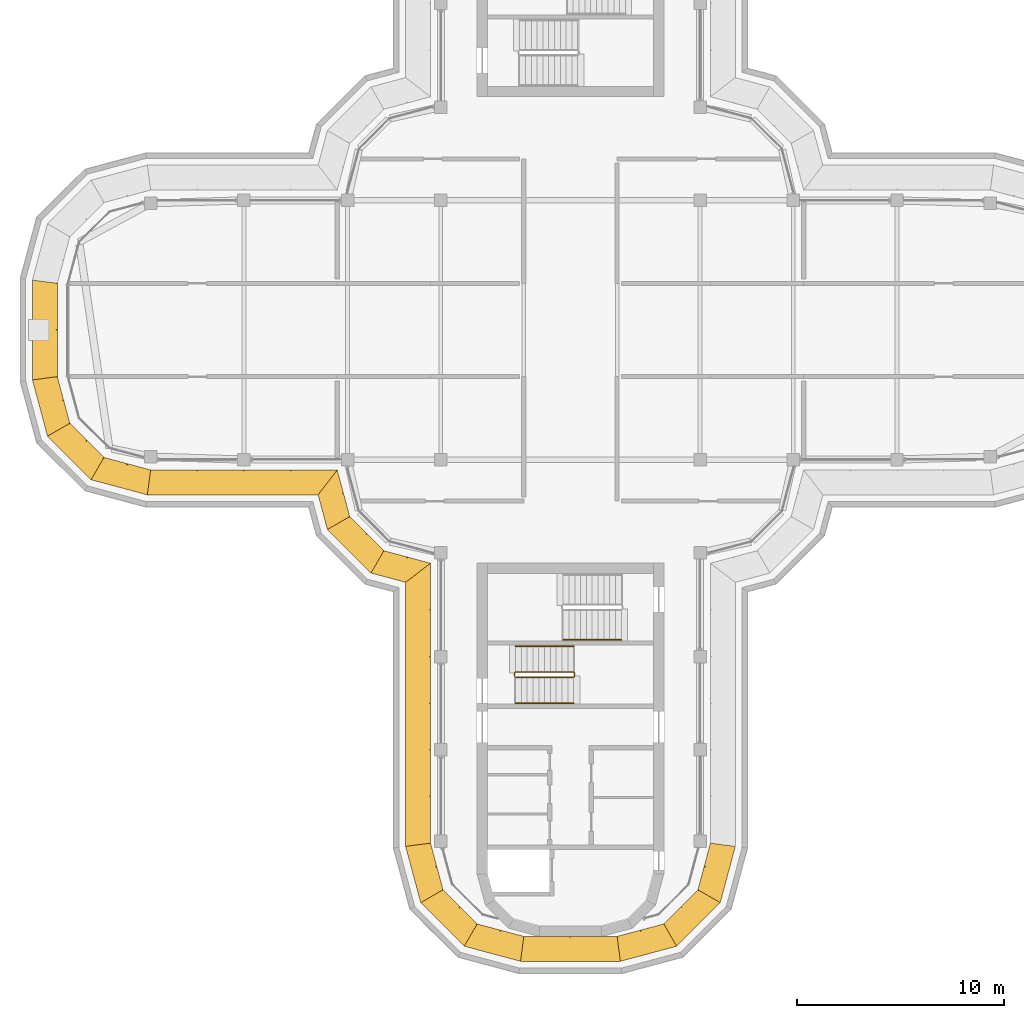
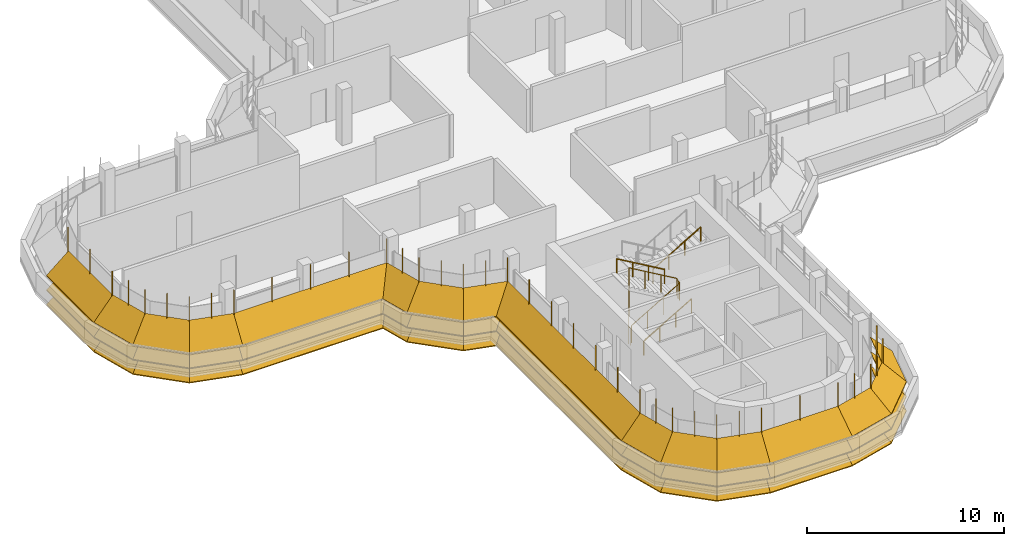
# One storey, part 16 of 19: 8 shading devices, 4 railings.
"""IFC4 building model written with IfcOpenShell, lengths in metres."""

from ifc_helpers import new_model, si_unit, direction, frame, origin, origin_2d, place, context, subcontext, project, spatial, polyline, circle, outline, extrude, faceted_brep, source, transform, mapped, material, type_object, element, save


model = new_model("IFC4")

# Units and contexts
model_context = context("Model", 3, precision=1e-05, world=origin(), true_north=direction((0.0, 1.0)))
body_context = subcontext(model_context, "Body", "Model", "MODEL_VIEW")
ifc_project = project(units=[si_unit("LENGTHUNIT", "METRE"), si_unit("AREAUNIT", "SQUARE_METRE"), si_unit("VOLUMEUNIT", "CUBIC_METRE"), si_unit("PLANEANGLEUNIT", "RADIAN"), si_unit("MASSUNIT", "GRAM", prefix="KILO")], contexts=[model_context])

# Site, building, storey
site_placement = place(None, origin())
site = spatial("IfcSite", under=ifc_project, at=site_placement, CompositionType="ELEMENT")
building_placement = place(site_placement, origin())
building = spatial("IfcBuilding", under=site, at=building_placement, Name="Zarbagh Exchange Tower", CompositionType="ELEMENT")
storey_placement = place(building_placement, frame((0.0, 0.0, 295.199951171875)))
storey = spatial("IfcBuildingStorey", under=building, at=storey_placement, Name="L72", CompositionType="ELEMENT", Elevation=295.199951171875)

# Railings
ifc_material_1 = material(Name="Stainless steel", Category="steel")
railing_type_1 = type_object("IfcRailingType", Name="Stair guard 1100 mm", PredefinedType="GUARDRAIL", material=ifc_material_1)
railing_1_placement = place(storey_placement, frame((-2.64990234375, -16.75, 0.16357421875)))
element("IfcRailing", 1, at=railing_1_placement, inside=storey, type_object=railing_type_1, Name="ST3 stair guard 1", PredefinedType="GUARDRAIL", context=body_context, shape_type="SweptSolid", body=[
    extrude(circle(Radius=0.02392578125, at=origin_2d()), frame((0.0, 0.0, 1.076171875), z_axis=(0.863341702679, 0.0, 0.504619762213), x_axis=(0.0, 1.0, 0.0)), (0.0, 0.0, 1.0), 3.242919921875),
    extrude(circle(Radius=0.02392578125, at=origin_2d()), frame((2.7998046875, 0.0, 2.71240234375), z_axis=(0.707106781187, 0.707106781187, 0.0), x_axis=(-0.707106781187, 0.707106781187, 0.0)), (0.0, 0.0, 1.0), 0.07080078125),
    extrude(circle(Radius=0.02392578125, at=origin_2d()), frame((2.849853515625, 0.050048828125, 2.71240234375), z_axis=(0.0, 1.0, 0.0), x_axis=(-1.0, 0.0, 0.0)), (0.0, 0.0, 1.0), 0.14990234375),
    extrude(circle(Radius=0.02392578125, at=origin_2d()), frame((2.849853515625, 0.199951171875, 2.71240234375), z_axis=(-0.280808744504, 0.280808744504, 0.917765164963), x_axis=(-0.707106781187, -0.707106781187, 0.0)), (0.0, 0.0, 1.0), 0.17822265625),
    extrude(circle(Radius=0.02392578125, at=origin_2d()), frame((2.7998046875, 0.25, 2.8759765625), z_axis=(-0.863341702679, 0.0, 0.504619762213), x_axis=(0.0, -1.0, 0.0)), (0.0, 0.0, 1.0), 3.242919921875),
    extrude(circle(Radius=0.02392578125, at=origin_2d()), frame((0.0, 0.25, 4.5126953125), z_axis=(-0.013899389096, -0.013899389096, -0.999806788317), x_axis=(0.707106781187, -0.707106781187, 0.0)), (0.0, 0.0, 1.0), 3.600830078125),
    extrude(circle(Radius=0.02392578125, at=origin_2d()), frame((-0.050048828125, 0.199951171875, 0.91259765625), z_axis=(0.0, -1.0, 0.0), x_axis=(1.0, 0.0, 0.0)), (0.0, 0.0, 1.0), 0.14990234375),
    extrude(circle(Radius=0.02099609375, at=origin_2d()), origin(), (0.0, 0.0, 1.0), 1.052001953125),
    extrude(circle(Radius=0.02099609375, at=origin_2d()), frame((0.933349609375, 0.0, 0.54541015625)), (0.0, 0.0, 1.0), 1.052001953125),
    extrude(circle(Radius=0.02099609375, at=origin_2d()), frame((1.866455078125, 0.0, 1.091064453125)), (0.0, 0.0, 1.0), 1.052001953125),
    extrude(circle(Radius=0.02099609375, at=origin_2d()), frame((2.7998046875, 0.0, 1.636474609375)), (0.0, 0.0, 1.0), 1.052001953125),
    extrude(circle(Radius=0.02099609375, at=origin_2d()), frame((2.849853515625, 0.050048828125, 1.636474609375)), (0.0, 0.0, 1.0), 1.052001953125),
    extrude(circle(Radius=0.02099609375, at=origin_2d()), frame((2.849853515625, 0.199951171875, 1.636474609375)), (0.0, 0.0, 1.0), 1.052001953125),
    extrude(circle(Radius=0.02099609375, at=origin_2d()), frame((2.7998046875, 0.25, 1.800048828125)), (0.0, 0.0, 1.0), 1.052001953125),
    extrude(circle(Radius=0.02099609375, at=origin_2d()), frame((1.866455078125, 0.25, 2.345458984375)), (0.0, 0.0, 1.0), 1.052001953125),
    extrude(circle(Radius=0.02099609375, at=origin_2d()), frame((0.933349609375, 0.25, 2.89111328125)), (0.0, 0.0, 1.0), 1.052001953125),
    extrude(circle(Radius=0.02099609375, at=origin_2d()), frame((0.0, 0.25, 3.4365234375)), (0.0, 0.0, 1.0), 1.052001953125),
    extrude(circle(Radius=0.02099609375, at=origin_2d()), frame((-0.012451171875, 0.237548828125, 2.53662109375)), (0.0, 0.0, 1.0), 1.052001953125),
    extrude(circle(Radius=0.02099609375, at=origin_2d()), frame((-0.02490234375, 0.22509765625, 1.636474609375)), (0.0, 0.0, 1.0), 1.052001953125),
    extrude(circle(Radius=0.02099609375, at=origin_2d()), frame((-0.03759765625, 0.21240234375, 0.736328125)), (0.0, 0.0, 1.0), 1.052001953125),
    extrude(circle(Radius=0.02099609375, at=origin_2d()), frame((-0.050048828125, 0.199951171875, -0.16357421875)), (0.0, 0.0, 1.0), 1.052001953125),
    extrude(circle(Radius=0.02099609375, at=origin_2d()), frame((-0.050048828125, 0.050048828125, -0.16357421875)), (0.0, 0.0, 1.0), 1.052001953125),
])
railing_type_2 = type_object("IfcRailingType", Name="Stair handrail 900 mm", PredefinedType="HANDRAIL", material=ifc_material_1)
railing_2_placement = place(storey_placement, frame((-2.64990234375, -18.0, 0.16357421875)))
element("IfcRailing", 2, at=railing_2_placement, inside=storey, type_object=railing_type_2, Name="ST3 stair handrail 1", PredefinedType="HANDRAIL", context=body_context, shape_type="SweptSolid", body=[
    extrude(circle(Radius=0.02392578125, at=origin_2d()), frame((0.0, 0.0, 0.8759765625), z_axis=(0.863341702679, 0.0, 0.504619762213), x_axis=(0.0, 1.0, 0.0)), (0.0, 0.0, 1.0), 3.242919921875),
    extrude(circle(Radius=0.02099609375, at=origin_2d()), origin(), (0.0, 0.0, 1.0), 0.851806640625),
    extrude(circle(Radius=0.02099609375, at=origin_2d()), frame((0.933349609375, 0.0, 0.54541015625)), (0.0, 0.0, 1.0), 0.851806640625),
    extrude(circle(Radius=0.02099609375, at=origin_2d()), frame((1.866455078125, 0.0, 1.091064453125)), (0.0, 0.0, 1.0), 0.851806640625),
    extrude(circle(Radius=0.02099609375, at=origin_2d()), frame((2.7998046875, 0.0, 1.636474609375)), (0.0, 0.0, 1.0), 0.851806640625),
])
railing_3_placement = place(storey_placement, frame((0.14990234375, -15.25, 1.963623046875)))
element("IfcRailing", 3, at=railing_3_placement, inside=storey, type_object=railing_type_2, Name="ST3 stair handrail 2", PredefinedType="HANDRAIL", context=body_context, shape_type="SweptSolid", body=[
    extrude(circle(Radius=0.02392578125, at=origin_2d()), frame((0.0, 0.0, 0.8759765625), z_axis=(-0.863341702679, 0.0, 0.504619762213), x_axis=(0.0, -1.0, 0.0)), (0.0, 0.0, 1.0), 3.242919921875),
    extrude(circle(Radius=0.02099609375, at=origin_2d()), origin(), (0.0, 0.0, 1.0), 0.851806640625),
    extrude(circle(Radius=0.02099609375, at=origin_2d()), frame((-0.933349609375, 0.0, 0.54541015625)), (0.0, 0.0, 1.0), 0.851806640625),
    extrude(circle(Radius=0.02099609375, at=origin_2d()), frame((-1.866455078125, 0.0, 1.091064453125)), (0.0, 0.0, 1.0), 0.851806640625),
    extrude(circle(Radius=0.02099609375, at=origin_2d()), frame((-2.7998046875, 0.0, 1.636474609375)), (0.0, 0.0, 1.0), 0.851806640625),
])
railing_4_placement = place(storey_placement, frame((-0.35009765625, -14.949951171875, 1.963623046875)))
element("IfcRailing", 4, at=railing_4_placement, inside=storey, type_object=railing_type_2, Name="ST4 stair handrail 2", PredefinedType="HANDRAIL", context=body_context, shape_type="SweptSolid", body=[
    extrude(circle(Radius=0.02392578125, at=origin_2d()), frame((0.0, 0.0, 0.8759765625), z_axis=(0.863360870873, 0.0, 0.504586966384), x_axis=(0.0, 1.0, 0.0)), (0.0, 0.0, 1.0), 3.2431640625),
    extrude(circle(Radius=0.02099609375, at=origin_2d()), origin(), (0.0, 0.0, 1.0), 0.851806640625),
    extrude(circle(Radius=0.02099609375, at=origin_2d()), frame((0.933349609375, 0.0, 0.54541015625)), (0.0, 0.0, 1.0), 0.851806640625),
    extrude(circle(Radius=0.02099609375, at=origin_2d()), frame((1.86669921875, 0.0, 1.091064453125)), (0.0, 0.0, 1.0), 0.851806640625),
    extrude(circle(Radius=0.02099609375, at=origin_2d()), frame((2.800048828125, 0.0, 1.636474609375)), (0.0, 0.0, 1.0), 0.851806640625),
])

# Shading devices
ifc_material_2 = material(Name="Anodised aluminium blades and brackets", Category="aluminium")
shading_device_type = type_object("IfcShadingDeviceType", Name="SUNSHADE louvre band, 45 degree blades", PredefinedType="JALOUSIE", material=ifc_material_2)
shared_shape_1 = source(origin(), body_context, "Body", "Brep", [
    faceted_brep([(0.0, 0.0, 0.0), (0.0, 0.0, -0.056640625), (-0.157958984375, -1.199951171875, -1.256591796875), (-0.157958984375, -1.199951171875, -1.199951171875), (2.65087890625, -1.199951171875, -1.199951171875), (2.65087890625, -1.199951171875, -1.256591796875), (2.329345703125, 0.0, -0.056640625), (2.329345703125, 0.0, 0.0)], [[[0, 1, 2, 3]], [[4, 5, 6, 7]], [[0, 7, 6, 1]], [[1, 6, 5, 2]], [[2, 5, 4, 3]], [[3, 4, 7, 0]]]),
])
shared_shape_2 = source(origin(), body_context, "Body", "Brep", [
    faceted_brep([(0.0, 0.0, 0.0), (0.0, 0.0, -0.056640625), (-0.321533203125, -1.199951171875, -1.256591796875), (-0.321533203125, -1.199951171875, -1.199951171875), (2.65087890625, -1.199951171875, -1.199951171875), (2.65087890625, -1.199951171875, -1.256591796875), (2.329345703125, 0.0, -0.056640625), (2.329345703125, 0.0, 0.0)], [[[0, 1, 2, 3]], [[4, 5, 6, 7]], [[0, 7, 6, 1]], [[1, 6, 5, 2]], [[2, 5, 4, 3]], [[3, 4, 7, 0]]]),
])
shared_shape_3 = source(origin(), body_context, "Body", "Brep", [
    faceted_brep([(0.0, 0.0, 0.0), (0.0, 0.0, -0.056640625), (-0.321533203125, -1.199951171875, -1.256591796875), (-0.321533203125, -1.199951171875, -1.199951171875), (2.4873046875, -1.199951171875, -1.199951171875), (2.4873046875, -1.199951171875, -1.256591796875), (2.329345703125, 0.0, -0.056640625), (2.329345703125, 0.0, 0.0)], [[[0, 1, 2, 3]], [[4, 5, 6, 7]], [[0, 7, 6, 1]], [[1, 6, 5, 2]], [[2, 5, 4, 3]], [[3, 4, 7, 0]]]),
])
shared_shape_4 = source(origin(), body_context, "Body", "SweptSolid", [
    extrude(outline(polyline([(0.0, -0.012451171875), (0.06005859375, -0.012451171875), (0.06005859375, 0.012451171875), (0.0, 0.012451171875), (0.0, -0.012451171875)])), origin(), (0.0, 0.0, 1.0), 3.366455078125),
])
placement = place(storey_placement, origin())
element("IfcShadingDevice", 5, at=placement, inside=storey, type_object=shading_device_type, Name="SS55 sunshade band", PredefinedType="JALOUSIE", context=body_context, shape_type="MappedRepresentation", body=[
    mapped(shared_shape_1, transform((2.25, -29.25, 2.10009765625), x_axis=(0.965924289636, 0.258824779902, 0.0), y_axis=(-0.258824779902, 0.965924289636, 0.0), z_axis=(0.0, 0.0, 1.0))),
    mapped(shared_shape_1, transform((2.25, -29.25, 1.199951171875), x_axis=(0.965924289636, 0.258824779902, 0.0), y_axis=(-0.258824779902, 0.965924289636, 0.0), z_axis=(0.0, 0.0, 1.0))),
    mapped(shared_shape_1, transform((2.25, -29.25, 0.300048828125), x_axis=(0.965924289636, 0.258824779902, 0.0), y_axis=(-0.258824779902, 0.965924289636, 0.0), z_axis=(0.0, 0.0, 1.0))),
    mapped(shared_shape_2, transform((4.5, -28.647216796875, 2.10009765625), x_axis=(0.707106781187, 0.707106781187, 0.0), y_axis=(-0.707106781187, 0.707106781187, 0.0), z_axis=(0.0, 0.0, 1.0))),
    mapped(shared_shape_2, transform((4.5, -28.647216796875, 1.199951171875), x_axis=(0.707106781187, 0.707106781187, 0.0), y_axis=(-0.707106781187, 0.707106781187, 0.0), z_axis=(0.0, 0.0, 1.0))),
    mapped(shared_shape_2, transform((4.5, -28.647216796875, 0.300048828125), x_axis=(0.707106781187, 0.707106781187, 0.0), y_axis=(-0.707106781187, 0.707106781187, 0.0), z_axis=(0.0, 0.0, 1.0))),
    mapped(shared_shape_3, transform((6.147216796875, -27.0, 2.10009765625), x_axis=(0.258824779902, 0.965924289636, 0.0), y_axis=(-0.965924289636, 0.258824779902, 0.0), z_axis=(0.0, 0.0, 1.0))),
    mapped(shared_shape_3, transform((6.147216796875, -27.0, 1.199951171875), x_axis=(0.258824779902, 0.965924289636, 0.0), y_axis=(-0.965924289636, 0.258824779902, 0.0), z_axis=(0.0, 0.0, 1.0))),
    mapped(shared_shape_3, transform((6.147216796875, -27.0, 0.300048828125), x_axis=(0.258824779902, 0.965924289636, 0.0), y_axis=(-0.965924289636, 0.258824779902, 0.0), z_axis=(0.0, 0.0, 1.0))),
    mapped(shared_shape_4, transform((2.25, -29.25, 0.21337890625), x_axis=(0.130529263012, -0.991444457092, 0.0), y_axis=(0.991444457092, 0.130529263012, 0.0), z_axis=(0.0, 0.0, 1.0))),
    mapped(shared_shape_4, transform((3.375, -28.948486328125, 0.21337890625), x_axis=(0.258825058029, -0.96592421511, 0.0), y_axis=(0.96592421511, 0.258825058029, 0.0), z_axis=(0.0, 0.0, 1.0))),
    mapped(shared_shape_4, transform((4.5, -28.647216796875, 0.21337890625), x_axis=(0.50000275701, -0.866023812018, 0.0), y_axis=(0.866023812018, 0.50000275701, 0.0), z_axis=(0.0, 0.0, 1.0))),
    mapped(shared_shape_4, transform((5.323486328125, -27.823486328125, 0.21337890625), x_axis=(0.707106781187, -0.707106781187, 0.0), y_axis=(0.707106781187, 0.707106781187, 0.0), z_axis=(0.0, 0.0, 1.0))),
    mapped(shared_shape_4, transform((6.147216796875, -27.0, 0.21337890625), x_axis=(0.866023812018, -0.50000275701, 0.0), y_axis=(0.50000275701, 0.866023812018, 0.0), z_axis=(0.0, 0.0, 1.0))),
    mapped(shared_shape_4, transform((6.448486328125, -25.875, 0.21337890625), x_axis=(0.96592421511, -0.258825058029, 0.0), y_axis=(0.258825058029, 0.96592421511, 0.0), z_axis=(0.0, 0.0, 1.0))),
])
element("IfcShadingDevice", 6, at=placement, inside=storey, type_object=shading_device_type, Name="SS65 sunshade band", PredefinedType="JALOUSIE", context=body_context, shape_type="MappedRepresentation", body=[
    mapped(shared_shape_1, transform((-24.75, -2.25, 2.10009765625), x_axis=(0.258824779902, -0.965924289636, 0.0), y_axis=(0.965924289636, 0.258824779902, 0.0), z_axis=(0.0, 0.0, 1.0))),
    mapped(shared_shape_1, transform((-24.75, -2.25, 1.199951171875), x_axis=(0.258824779902, -0.965924289636, 0.0), y_axis=(0.965924289636, 0.258824779902, 0.0), z_axis=(0.0, 0.0, 1.0))),
    mapped(shared_shape_1, transform((-24.75, -2.25, 0.300048828125), x_axis=(0.258824779902, -0.965924289636, 0.0), y_axis=(0.965924289636, 0.258824779902, 0.0), z_axis=(0.0, 0.0, 1.0))),
    mapped(shared_shape_2, transform((-24.147216796875, -4.5, 2.10009765625), x_axis=(0.707106781187, -0.707106781187, 0.0), y_axis=(0.707106781187, 0.707106781187, 0.0), z_axis=(0.0, 0.0, 1.0))),
    mapped(shared_shape_2, transform((-24.147216796875, -4.5, 1.199951171875), x_axis=(0.707106781187, -0.707106781187, 0.0), y_axis=(0.707106781187, 0.707106781187, 0.0), z_axis=(0.0, 0.0, 1.0))),
    mapped(shared_shape_2, transform((-24.147216796875, -4.5, 0.300048828125), x_axis=(0.707106781187, -0.707106781187, 0.0), y_axis=(0.707106781187, 0.707106781187, 0.0), z_axis=(0.0, 0.0, 1.0))),
    mapped(shared_shape_3, transform((-22.5, -6.147216796875, 2.10009765625), x_axis=(0.965924289636, -0.258824779902, 0.0), y_axis=(0.258824779902, 0.965924289636, 0.0), z_axis=(0.0, 0.0, 1.0))),
    mapped(shared_shape_3, transform((-22.5, -6.147216796875, 1.199951171875), x_axis=(0.965924289636, -0.258824779902, 0.0), y_axis=(0.258824779902, 0.965924289636, 0.0), z_axis=(0.0, 0.0, 1.0))),
    mapped(shared_shape_3, transform((-22.5, -6.147216796875, 0.300048828125), x_axis=(0.965924289636, -0.258824779902, 0.0), y_axis=(0.258824779902, 0.965924289636, 0.0), z_axis=(0.0, 0.0, 1.0))),
    mapped(shared_shape_4, transform((-24.75, -2.25, 0.21337890625), x_axis=(-0.991444457092, -0.130529263012, 0.0), y_axis=(0.130529263012, -0.991444457092, 0.0), z_axis=(0.0, 0.0, 1.0))),
    mapped(shared_shape_4, transform((-24.448486328125, -3.375, 0.21337890625), x_axis=(-0.96592421511, -0.258825058029, 0.0), y_axis=(0.258825058029, -0.96592421511, 0.0), z_axis=(0.0, 0.0, 1.0))),
    mapped(shared_shape_4, transform((-24.147216796875, -4.5, 0.21337890625), x_axis=(-0.866023812018, -0.50000275701, 0.0), y_axis=(0.50000275701, -0.866023812018, 0.0), z_axis=(0.0, 0.0, 1.0))),
    mapped(shared_shape_4, transform((-23.323486328125, -5.323486328125, 0.21337890625), x_axis=(-0.707106781187, -0.707106781187, 0.0), y_axis=(0.707106781187, -0.707106781187, 0.0), z_axis=(0.0, 0.0, 1.0))),
    mapped(shared_shape_4, transform((-22.5, -6.147216796875, 0.21337890625), x_axis=(-0.50000275701, -0.866023812018, 0.0), y_axis=(0.866023812018, -0.50000275701, 0.0), z_axis=(0.0, 0.0, 1.0))),
    mapped(shared_shape_4, transform((-21.375, -6.448486328125, 0.21337890625), x_axis=(-0.258825058029, -0.96592421511, 0.0), y_axis=(0.96592421511, -0.258825058029, 0.0), z_axis=(0.0, 0.0, 1.0))),
])
element("IfcShadingDevice", 7, at=placement, inside=storey, type_object=shading_device_type, Name="SS68 sunshade band", PredefinedType="JALOUSIE", context=body_context, shape_type="MappedRepresentation", body=[
    mapped(shared_shape_1, transform((-6.75, -24.75, 2.10009765625), x_axis=(0.258824779902, -0.965924289636, 0.0), y_axis=(0.965924289636, 0.258824779902, 0.0), z_axis=(0.0, 0.0, 1.0))),
    mapped(shared_shape_1, transform((-6.75, -24.75, 1.199951171875), x_axis=(0.258824779902, -0.965924289636, 0.0), y_axis=(0.965924289636, 0.258824779902, 0.0), z_axis=(0.0, 0.0, 1.0))),
    mapped(shared_shape_1, transform((-6.75, -24.75, 0.300048828125), x_axis=(0.258824779902, -0.965924289636, 0.0), y_axis=(0.965924289636, 0.258824779902, 0.0), z_axis=(0.0, 0.0, 1.0))),
    mapped(shared_shape_2, transform((-6.147216796875, -27.0, 2.10009765625), x_axis=(0.707106781187, -0.707106781187, 0.0), y_axis=(0.707106781187, 0.707106781187, 0.0), z_axis=(0.0, 0.0, 1.0))),
    mapped(shared_shape_2, transform((-6.147216796875, -27.0, 1.199951171875), x_axis=(0.707106781187, -0.707106781187, 0.0), y_axis=(0.707106781187, 0.707106781187, 0.0), z_axis=(0.0, 0.0, 1.0))),
    mapped(shared_shape_2, transform((-6.147216796875, -27.0, 0.300048828125), x_axis=(0.707106781187, -0.707106781187, 0.0), y_axis=(0.707106781187, 0.707106781187, 0.0), z_axis=(0.0, 0.0, 1.0))),
    mapped(shared_shape_3, transform((-4.5, -28.647216796875, 2.10009765625), x_axis=(0.965924289636, -0.258824779902, 0.0), y_axis=(0.258824779902, 0.965924289636, 0.0), z_axis=(0.0, 0.0, 1.0))),
    mapped(shared_shape_3, transform((-4.5, -28.647216796875, 1.199951171875), x_axis=(0.965924289636, -0.258824779902, 0.0), y_axis=(0.258824779902, 0.965924289636, 0.0), z_axis=(0.0, 0.0, 1.0))),
    mapped(shared_shape_3, transform((-4.5, -28.647216796875, 0.300048828125), x_axis=(0.965924289636, -0.258824779902, 0.0), y_axis=(0.258824779902, 0.965924289636, 0.0), z_axis=(0.0, 0.0, 1.0))),
    mapped(shared_shape_4, transform((-6.75, -24.75, 0.21337890625), x_axis=(-0.991444457092, -0.130529263012, 0.0), y_axis=(0.130529263012, -0.991444457092, 0.0), z_axis=(0.0, 0.0, 1.0))),
    mapped(shared_shape_4, transform((-6.448486328125, -25.875, 0.21337890625), x_axis=(-0.96592421511, -0.258825058029, 0.0), y_axis=(0.258825058029, -0.96592421511, 0.0), z_axis=(0.0, 0.0, 1.0))),
    mapped(shared_shape_4, transform((-6.147216796875, -27.0, 0.21337890625), x_axis=(-0.866023812018, -0.50000275701, 0.0), y_axis=(0.50000275701, -0.866023812018, 0.0), z_axis=(0.0, 0.0, 1.0))),
    mapped(shared_shape_4, transform((-5.323486328125, -27.823486328125, 0.21337890625), x_axis=(-0.707106781187, -0.707106781187, 0.0), y_axis=(0.707106781187, -0.707106781187, 0.0), z_axis=(0.0, 0.0, 1.0))),
    mapped(shared_shape_4, transform((-4.5, -28.647216796875, 0.21337890625), x_axis=(-0.50000275701, -0.866023812018, 0.0), y_axis=(0.866023812018, -0.50000275701, 0.0), z_axis=(0.0, 0.0, 1.0))),
    mapped(shared_shape_4, transform((-3.375, -28.948486328125, 0.21337890625), x_axis=(-0.258825058029, -0.96592421511, 0.0), y_axis=(0.96592421511, -0.258825058029, 0.0), z_axis=(0.0, 0.0, 1.0))),
])
shared_shape_5 = source(origin(), body_context, "Body", "Brep", [
    faceted_brep([(0.0, 0.0, 0.0), (0.0, 0.0, -0.056640625), (0.9208984375, -1.199951171875, -1.256591796875), (0.9208984375, -1.199951171875, -1.199951171875), (2.65087890625, -1.199951171875, -1.199951171875), (2.65087890625, -1.199951171875, -1.256591796875), (2.329345703125, 0.0, -0.056640625), (2.329345703125, 0.0, 0.0)], [[[0, 1, 2, 3]], [[4, 5, 6, 7]], [[0, 7, 6, 1]], [[1, 6, 5, 2]], [[2, 5, 4, 3]], [[3, 4, 7, 0]]]),
])
shared_shape_6 = source(origin(), body_context, "Body", "Brep", [
    faceted_brep([(0.0, 0.0, 0.0), (0.0, 0.0, -0.056640625), (-0.321533203125, -1.199951171875, -1.256591796875), (-0.321533203125, -1.199951171875, -1.199951171875), (1.40869140625, -1.199951171875, -1.199951171875), (1.40869140625, -1.199951171875, -1.256591796875), (2.329345703125, 0.0, -0.056640625), (2.329345703125, 0.0, 0.0)], [[[0, 1, 2, 3]], [[4, 5, 6, 7]], [[0, 7, 6, 1]], [[1, 6, 5, 2]], [[2, 5, 4, 3]], [[3, 4, 7, 0]]]),
])
element("IfcShadingDevice", 8, at=placement, inside=storey, type_object=shading_device_type, Name="SS21 sunshade band", PredefinedType="JALOUSIE", context=body_context, shape_type="MappedRepresentation", body=[
    mapped(shared_shape_5, transform((-11.25, -6.75, 2.10009765625), x_axis=(0.258824779902, -0.965924289636, 0.0), y_axis=(0.965924289636, 0.258824779902, 0.0), z_axis=(0.0, 0.0, 1.0))),
    mapped(shared_shape_5, transform((-11.25, -6.75, 1.199951171875), x_axis=(0.258824779902, -0.965924289636, 0.0), y_axis=(0.965924289636, 0.258824779902, 0.0), z_axis=(0.0, 0.0, 1.0))),
    mapped(shared_shape_5, transform((-11.25, -6.75, 0.300048828125), x_axis=(0.258824779902, -0.965924289636, 0.0), y_axis=(0.965924289636, 0.258824779902, 0.0), z_axis=(0.0, 0.0, 1.0))),
    mapped(shared_shape_2, transform((-10.647216796875, -9.0, 2.10009765625), x_axis=(0.707106781187, -0.707106781187, 0.0), y_axis=(0.707106781187, 0.707106781187, 0.0), z_axis=(0.0, 0.0, 1.0))),
    mapped(shared_shape_2, transform((-10.647216796875, -9.0, 1.199951171875), x_axis=(0.707106781187, -0.707106781187, 0.0), y_axis=(0.707106781187, 0.707106781187, 0.0), z_axis=(0.0, 0.0, 1.0))),
    mapped(shared_shape_2, transform((-10.647216796875, -9.0, 0.300048828125), x_axis=(0.707106781187, -0.707106781187, 0.0), y_axis=(0.707106781187, 0.707106781187, 0.0), z_axis=(0.0, 0.0, 1.0))),
    mapped(shared_shape_6, transform((-9.0, -10.647216796875, 2.10009765625), x_axis=(0.965924289636, -0.258824779902, 0.0), y_axis=(0.258824779902, 0.965924289636, 0.0), z_axis=(0.0, 0.0, 1.0))),
    mapped(shared_shape_6, transform((-9.0, -10.647216796875, 1.199951171875), x_axis=(0.965924289636, -0.258824779902, 0.0), y_axis=(0.258824779902, 0.965924289636, 0.0), z_axis=(0.0, 0.0, 1.0))),
    mapped(shared_shape_6, transform((-9.0, -10.647216796875, 0.300048828125), x_axis=(0.965924289636, -0.258824779902, 0.0), y_axis=(0.258824779902, 0.965924289636, 0.0), z_axis=(0.0, 0.0, 1.0))),
    mapped(shared_shape_4, transform((-11.25, -6.75, 0.21337890625), x_axis=(-0.608758892, -0.793355287, 0.0), y_axis=(0.793355287, -0.608758892, 0.0), z_axis=(0.0, 0.0, 1.0))),
    mapped(shared_shape_4, transform((-10.948486328125, -7.875, 0.21337890625), x_axis=(-0.96592421511, -0.258825058029, 0.0), y_axis=(0.258825058029, -0.96592421511, 0.0), z_axis=(0.0, 0.0, 1.0))),
    mapped(shared_shape_4, transform((-10.647216796875, -9.0, 0.21337890625), x_axis=(-0.866023812018, -0.50000275701, 0.0), y_axis=(0.50000275701, -0.866023812018, 0.0), z_axis=(0.0, 0.0, 1.0))),
    mapped(shared_shape_4, transform((-9.823486328125, -9.823486328125, 0.21337890625), x_axis=(-0.707106781187, -0.707106781187, 0.0), y_axis=(0.707106781187, -0.707106781187, 0.0), z_axis=(0.0, 0.0, 1.0))),
    mapped(shared_shape_4, transform((-9.0, -10.647216796875, 0.21337890625), x_axis=(-0.50000275701, -0.866023812018, 0.0), y_axis=(0.866023812018, -0.50000275701, 0.0), z_axis=(0.0, 0.0, 1.0))),
    mapped(shared_shape_4, transform((-7.875, -10.948486328125, 0.21337890625), x_axis=(-0.258825058029, -0.96592421511, 0.0), y_axis=(0.96592421511, -0.258825058029, 0.0), z_axis=(0.0, 0.0, 1.0))),
])
shared_shape_7 = source(origin(), body_context, "Body", "Brep", [
    faceted_brep([(0.0, 0.0, 0.0), (0.0, 0.0, -0.056640625), (-0.157958984375, -1.199951171875, -1.256591796875), (-0.157958984375, -1.199951171875, -1.199951171875), (4.657958984375, -1.199951171875, -1.199951171875), (4.657958984375, -1.199951171875, -1.256591796875), (4.5, 0.0, -0.056640625), (4.5, 0.0, 0.0)], [[[0, 1, 2, 3]], [[4, 5, 6, 7]], [[0, 7, 6, 1]], [[1, 6, 5, 2]], [[2, 5, 4, 3]], [[3, 4, 7, 0]]]),
])
element("IfcShadingDevice", 9, at=placement, inside=storey, type_object=shading_device_type, Name="SS64 sunshade band", PredefinedType="JALOUSIE", context=body_context, shape_type="MappedRepresentation", body=[
    mapped(shared_shape_7, transform((-24.75, 2.25, 2.10009765625), x_axis=(0.0, -1.0, 0.0), y_axis=(1.0, 0.0, 0.0), z_axis=(0.0, 0.0, 1.0))),
    mapped(shared_shape_7, transform((-24.75, 2.25, 1.199951171875), x_axis=(0.0, -1.0, 0.0), y_axis=(1.0, 0.0, 0.0), z_axis=(0.0, 0.0, 1.0))),
    mapped(shared_shape_7, transform((-24.75, 2.25, 0.300048828125), x_axis=(0.0, -1.0, 0.0), y_axis=(1.0, 0.0, 0.0), z_axis=(0.0, 0.0, 1.0))),
    mapped(shared_shape_4, transform((-24.75, 2.25, 0.21337890625), x_axis=(-0.991444457092, 0.130529263012, 0.0), y_axis=(-0.130529263012, -0.991444457092, 0.0), z_axis=(0.0, 0.0, 1.0))),
    mapped(shared_shape_4, transform((-24.75, 0.0, 0.21337890625), x_axis=(-1.0, 0.0, 0.0), y_axis=(0.0, -1.0, 0.0), z_axis=(0.0, 0.0, 1.0))),
])
shared_shape_8 = source(origin(), body_context, "Body", "Brep", [
    faceted_brep([(0.0, 0.0, 0.0), (0.0, 0.0, -0.056640625), (-0.157958984375, -1.199951171875, -1.256591796875), (-0.157958984375, -1.199951171875, -1.199951171875), (8.0791015625, -1.199951171875, -1.199951171875), (8.0791015625, -1.199951171875, -1.256591796875), (9.0, 0.0, -0.056640625), (9.0, 0.0, 0.0)], [[[0, 1, 2, 3]], [[4, 5, 6, 7]], [[0, 7, 6, 1]], [[1, 6, 5, 2]], [[2, 5, 4, 3]], [[3, 4, 7, 0]]]),
])
element("IfcShadingDevice", 10, at=placement, inside=storey, type_object=shading_device_type, Name="SS66 sunshade band", PredefinedType="JALOUSIE", context=body_context, shape_type="MappedRepresentation", body=[
    mapped(shared_shape_8, transform((-20.25, -6.75, 2.10009765625), x_axis=(1.0, 0.0, 0.0), y_axis=(0.0, 1.0, 0.0), z_axis=(0.0, 0.0, 1.0))),
    mapped(shared_shape_8, transform((-20.25, -6.75, 1.199951171875), x_axis=(1.0, 0.0, 0.0), y_axis=(0.0, 1.0, 0.0), z_axis=(0.0, 0.0, 1.0))),
    mapped(shared_shape_8, transform((-20.25, -6.75, 0.300048828125), x_axis=(1.0, 0.0, 0.0), y_axis=(0.0, 1.0, 0.0), z_axis=(0.0, 0.0, 1.0))),
    mapped(shared_shape_4, transform((-20.25, -6.75, 0.21337890625), x_axis=(-0.130529263012, -0.991444457092, 0.0), y_axis=(0.991444457092, -0.130529263012, 0.0), z_axis=(0.0, 0.0, 1.0))),
    mapped(shared_shape_4, transform((-18.0, -6.75, 0.21337890625), x_axis=(0.0, -1.0, 0.0), y_axis=(1.0, 0.0, 0.0), z_axis=(0.0, 0.0, 1.0))),
    mapped(shared_shape_4, transform((-15.75, -6.75, 0.21337890625), x_axis=(0.0, -1.0, 0.0), y_axis=(1.0, 0.0, 0.0), z_axis=(0.0, 0.0, 1.0))),
    mapped(shared_shape_4, transform((-13.5, -6.75, 0.21337890625), x_axis=(0.0, -1.0, 0.0), y_axis=(1.0, 0.0, 0.0), z_axis=(0.0, 0.0, 1.0))),
])
shared_shape_9 = source(origin(), body_context, "Body", "Brep", [
    faceted_brep([(0.0, 0.0, 0.0), (0.0, 0.0, -0.056640625), (0.9208984375, -1.199951171875, -1.256591796875), (0.9208984375, -1.199951171875, -1.199951171875), (13.657958984375, -1.199951171875, -1.199951171875), (13.657958984375, -1.199951171875, -1.256591796875), (13.5, 0.0, -0.056640625), (13.5, 0.0, 0.0)], [[[0, 1, 2, 3]], [[4, 5, 6, 7]], [[0, 7, 6, 1]], [[1, 6, 5, 2]], [[2, 5, 4, 3]], [[3, 4, 7, 0]]]),
])
element("IfcShadingDevice", 11, at=placement, inside=storey, type_object=shading_device_type, Name="SS67 sunshade band", PredefinedType="JALOUSIE", context=body_context, shape_type="MappedRepresentation", body=[
    mapped(shared_shape_9, transform((-6.75, -11.25, 2.10009765625), x_axis=(0.0, -1.0, 0.0), y_axis=(1.0, 0.0, 0.0), z_axis=(0.0, 0.0, 1.0))),
    mapped(shared_shape_9, transform((-6.75, -11.25, 1.199951171875), x_axis=(0.0, -1.0, 0.0), y_axis=(1.0, 0.0, 0.0), z_axis=(0.0, 0.0, 1.0))),
    mapped(shared_shape_9, transform((-6.75, -11.25, 0.300048828125), x_axis=(0.0, -1.0, 0.0), y_axis=(1.0, 0.0, 0.0), z_axis=(0.0, 0.0, 1.0))),
    mapped(shared_shape_4, transform((-6.75, -11.25, 0.21337890625), x_axis=(-0.793355287, -0.608758892, 0.0), y_axis=(0.608758892, -0.793355287, 0.0), z_axis=(0.0, 0.0, 1.0))),
    mapped(shared_shape_4, transform((-6.75, -13.5, 0.21337890625), x_axis=(-1.0, 0.0, 0.0), y_axis=(0.0, -1.0, 0.0), z_axis=(0.0, 0.0, 1.0))),
    mapped(shared_shape_4, transform((-6.75, -15.75, 0.21337890625), x_axis=(-1.0, 0.0, 0.0), y_axis=(0.0, -1.0, 0.0), z_axis=(0.0, 0.0, 1.0))),
    mapped(shared_shape_4, transform((-6.75, -18.0, 0.21337890625), x_axis=(-1.0, 0.0, 0.0), y_axis=(0.0, -1.0, 0.0), z_axis=(0.0, 0.0, 1.0))),
    mapped(shared_shape_4, transform((-6.75, -20.25, 0.21337890625), x_axis=(-1.0, 0.0, 0.0), y_axis=(0.0, -1.0, 0.0), z_axis=(0.0, 0.0, 1.0))),
    mapped(shared_shape_4, transform((-6.75, -22.5, 0.21337890625), x_axis=(-1.0, 0.0, 0.0), y_axis=(0.0, -1.0, 0.0), z_axis=(0.0, 0.0, 1.0))),
])
element("IfcShadingDevice", 12, at=placement, inside=storey, type_object=shading_device_type, Name="SS69 sunshade band", PredefinedType="JALOUSIE", context=body_context, shape_type="MappedRepresentation", body=[
    mapped(shared_shape_7, transform((-2.25, -29.25, 2.10009765625), x_axis=(1.0, 0.0, 0.0), y_axis=(0.0, 1.0, 0.0), z_axis=(0.0, 0.0, 1.0))),
    mapped(shared_shape_7, transform((-2.25, -29.25, 1.199951171875), x_axis=(1.0, 0.0, 0.0), y_axis=(0.0, 1.0, 0.0), z_axis=(0.0, 0.0, 1.0))),
    mapped(shared_shape_7, transform((-2.25, -29.25, 0.300048828125), x_axis=(1.0, 0.0, 0.0), y_axis=(0.0, 1.0, 0.0), z_axis=(0.0, 0.0, 1.0))),
    mapped(shared_shape_4, transform((-2.25, -29.25, 0.21337890625), x_axis=(-0.130529263012, -0.991444457092, 0.0), y_axis=(0.991444457092, -0.130529263012, 0.0), z_axis=(0.0, 0.0, 1.0))),
    mapped(shared_shape_4, transform((0.0, -29.25, 0.21337890625), x_axis=(0.0, -1.0, 0.0), y_axis=(1.0, 0.0, 0.0), z_axis=(0.0, 0.0, 1.0))),
])

save(model, "model.ifc")
